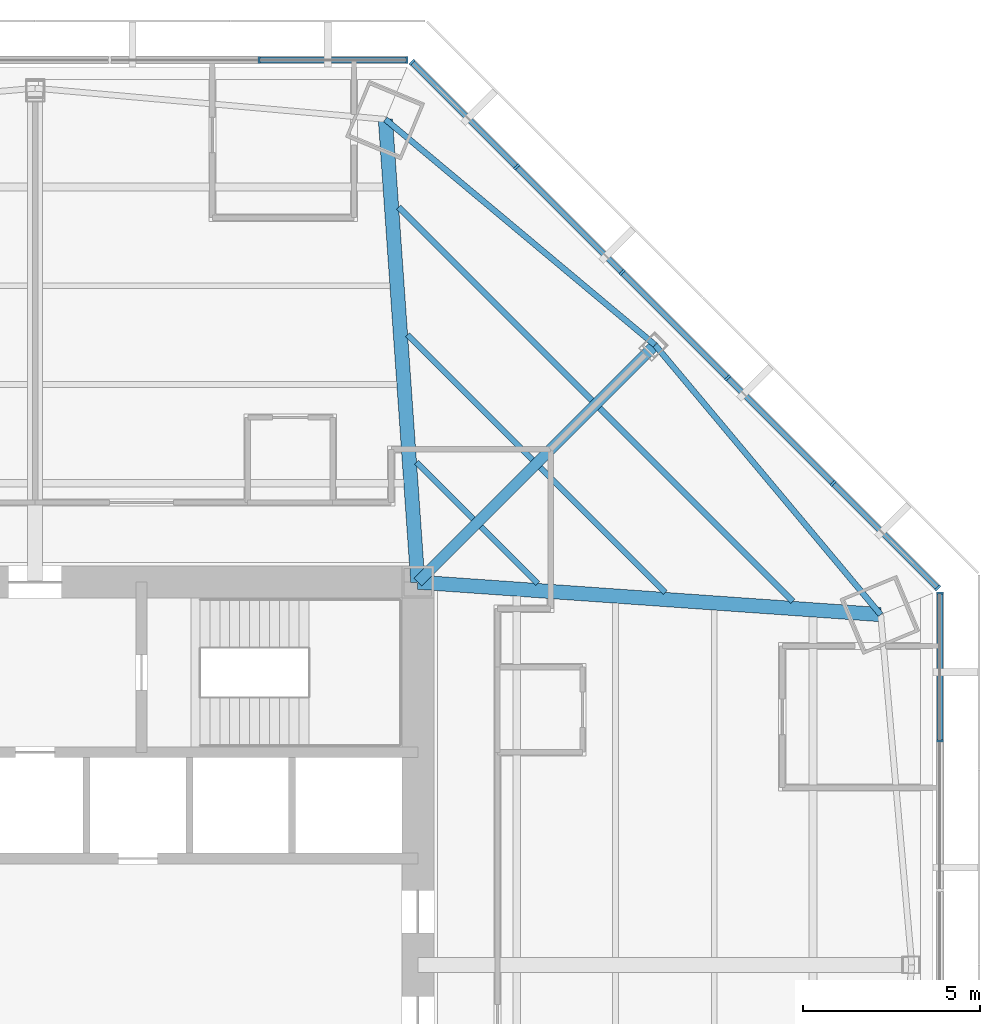
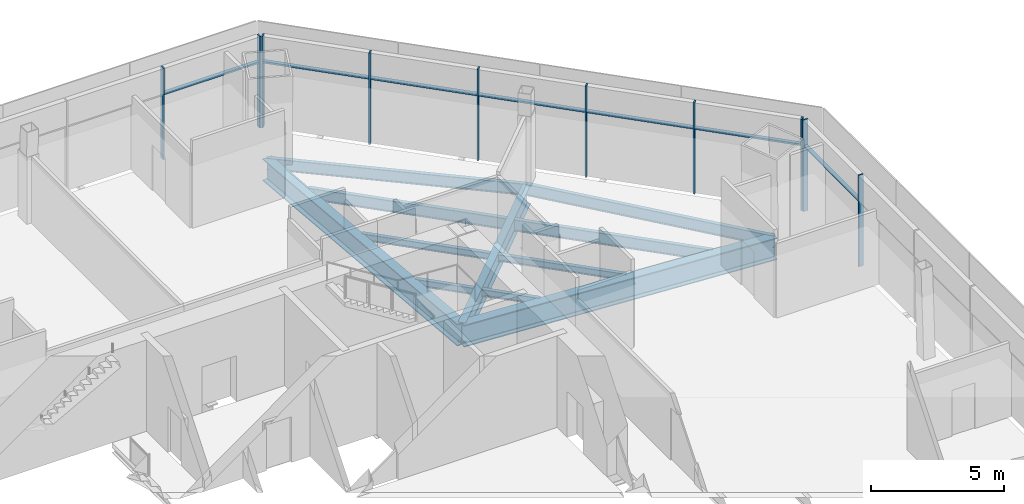
# One storey, part 7 of 17: 17 members, 11 beams, 3 elements without a shape of their own.
"""IFC4 building model written with IfcOpenShell, lengths in metres."""

from ifc_helpers import new_model, si_unit, direction, frame, origin, origin_2d, place, context, subcontext, project, spatial, rectangle, i_section, extrude, source, transform, mapped, material, material_profile, profile_set, type_object, type_shapes, element, aggregate, save


model = new_model("IFC4")

# Units and contexts
model_context = context("Model", 3, precision=1e-05, world=origin(), true_north=direction((0.0, 1.0)))
body_context = subcontext(model_context, "Body", "Model", "MODEL_VIEW")
ifc_project = project(units=[si_unit("LENGTHUNIT", "METRE"), si_unit("AREAUNIT", "SQUARE_METRE"), si_unit("VOLUMEUNIT", "CUBIC_METRE"), si_unit("PLANEANGLEUNIT", "RADIAN"), si_unit("MASSUNIT", "GRAM", prefix="KILO")], contexts=[model_context])

# Site, building, storey
site_placement = place(None, origin())
site = spatial("IfcSite", under=ifc_project, at=site_placement, CompositionType="ELEMENT")
building_placement = place(site_placement, origin())
building = spatial("IfcBuilding", under=site, at=building_placement, Name="Mashrafa Tower", CompositionType="ELEMENT")
storey_placement = place(building_placement, frame((0.0, 0.0, 87.60009765625)))
storey = spatial("IfcBuildingStorey", under=building, at=storey_placement, Name="L19", CompositionType="ELEMENT", Elevation=87.60009765625)

# Beams
ifc_material_1 = material(Name="Steel ASTM A992", Category="steel")
ifc_material_profile_1 = material_profile(ifc_material_1, i_section(OverallWidth=0.164794921875, OverallDepth=0.309814453125, WebThickness=0.005859375, FlangeThickness=0.009765625, FilletRadius=0.007568359375, at=origin_2d()), Name="W12X26")
ifc_profile_set_1 = profile_set([ifc_material_profile_1], Name="Steel ASTM A992")
beam_type_1 = type_object("IfcBeamType", Name="Beam W12X26", PredefinedType="BEAM", material=ifc_profile_set_1)
beam_1_placement = place(storey_placement, frame((10.51171875, 17.782958984375, -0.320068359375), z_axis=(0.707106781187, -0.707106781187, 0.0), x_axis=(0.707106781187, 0.707106781187, 0.0)))
element("IfcBeam", 1, at=beam_1_placement, inside=storey, type_object=beam_type_1, Name="Floor beam L19 036", PredefinedType="BEAM", context=body_context, shape_type="SweptSolid", body=[
    extrude(i_section(OverallWidth=0.164794921875, OverallDepth=0.309814453125, WebThickness=0.005859375, FlangeThickness=0.009765625, FilletRadius=0.007568359375, at=origin_2d()), origin(), (0.0, 0.0, 1.0), 4.989013671875),
])
for number, where, z_axis, x_axis, name in (
    (2, (10.763916015625, 14.183349609375, -0.320068359375), (0.707160662147, -0.707052896121, 0.0), (0.707052896121, 0.707160662147, 0.0), "Floor beam L19 038"),
    (3, (12.58154296875, 12.365966796875, -0.320068359375), (0.707052896121, -0.707160662147, 0.0), (0.707160662147, 0.707052896121, 0.0), "Floor beam L19 041"),
):
    element("IfcBeam", number, at=place(storey_placement, frame(where, z_axis=z_axis, x_axis=x_axis)), inside=storey, type_object=beam_type_1, Name=name, PredefinedType="BEAM", context=body_context, shape_type="SweptSolid", body=[
        extrude(i_section(OverallWidth=0.164794921875, OverallDepth=0.309814453125, WebThickness=0.005859375, FlangeThickness=0.009765625, FilletRadius=0.007568359375, at=origin_2d()), origin(), (0.0, 0.0, 1.0), 2.265380859375),
    ])
beam_2_placement = place(storey_placement, frame((14.255126953125, 14.03955078125, -0.320068359375), z_axis=(0.707106781187, -0.707106781187, 0.0), x_axis=(0.707106781187, 0.707106781187, 0.0)))
element("IfcBeam", 4, at=beam_2_placement, inside=storey, type_object=beam_type_1, Name="Floor beam L19 045", PredefinedType="BEAM", context=body_context, shape_type="SweptSolid", body=[
    extrude(i_section(OverallWidth=0.164794921875, OverallDepth=0.309814453125, WebThickness=0.005859375, FlangeThickness=0.009765625, FilletRadius=0.007568359375, at=origin_2d()), origin(), (0.0, 0.0, 1.0), 4.989013671875),
])
ifc_material_2 = material(Name="Steel ASTM A992", Category="steel")
ifc_material_profile_2 = material_profile(ifc_material_2, i_section(OverallWidth=0.165771484375, OverallDepth=0.5283203125, WebThickness=0.009765625, FlangeThickness=0.013671875, FilletRadius=0.012939453125, at=origin_2d()), Name="W21X50")
ifc_profile_set_2 = profile_set([ifc_material_profile_2], Name="Steel ASTM A992")
beam_type_2 = type_object("IfcBeamType", Name="Beam W21X50", PredefinedType="BEAM", material=ifc_profile_set_2)
for number, where, z_axis, x_axis, name in (
    (5, (10.259521484375, 21.3828125, -0.42919921875), (0.707075127012, -0.707138433944, 0.0), (0.707138433944, 0.707075127012, 0.0), "Floor beam L19 034"),
    (6, (15.9287109375, 15.713134765625, -0.42919921875), (0.707138433944, -0.707075127012, 0.0), (0.707075127012, 0.707138433944, 0.0), "Floor beam L19 048"),
):
    element("IfcBeam", number, at=place(storey_placement, frame(where, z_axis=z_axis, x_axis=x_axis)), inside=storey, type_object=beam_type_2, Name=name, PredefinedType="BEAM", context=body_context, shape_type="SweptSolid", body=[
        extrude(i_section(OverallWidth=0.165771484375, OverallDepth=0.5283203125, WebThickness=0.009765625, FlangeThickness=0.013671875, FilletRadius=0.012939453125, at=origin_2d()), origin(), (0.0, 0.0, 1.0), 7.712890625),
    ])
for number, where, z_axis, x_axis, name in (
    (7, (17.49462890625, 17.49462890625, -0.42919921875), (-0.766898747928, 0.641768112659, 0.0), (-0.641768112659, -0.766898747928, 0.0), "Spandrel beam L19 085"),
    (8, (23.863037109375, 9.884521484375, -0.42919921875), (-0.641768112659, 0.766898747928, 0.0), (-0.766898747928, -0.641768112659, 0.0), "Spandrel beam L19 087"),
):
    element("IfcBeam", number, at=place(storey_placement, frame(where, z_axis=z_axis, x_axis=x_axis)), inside=storey, type_object=beam_type_2, Name=name, PredefinedType="BEAM", context=body_context, shape_type="SweptSolid", body=[
        extrude(i_section(OverallWidth=0.165771484375, OverallDepth=0.5283203125, WebThickness=0.009765625, FlangeThickness=0.013671875, FilletRadius=0.012939453125, at=origin_2d()), origin(), (0.0, 0.0, 1.0), 9.92333984375),
    ])
ifc_material_3 = material(Name="Steel ASTM A992", Category="steel")
ifc_material_profile_3 = material_profile(ifc_material_3, i_section(OverallWidth=0.3046875, OverallDepth=0.911865234375, WebThickness=0.015869140625, FlangeThickness=0.02392578125, FilletRadius=0.01904296875, at=origin_2d()), Name="W36X150")
ifc_profile_set_3 = profile_set([ifc_material_profile_3], Name="Steel ASTM A992")
beam_type_3 = type_object("IfcBeamType", Name="Beam W36X150", PredefinedType="BEAM", material=ifc_profile_set_3)
beam_3_placement = place(storey_placement, frame((10.800048828125, 10.800048828125, -0.62109375), z_axis=(0.707106781187, 0.707106781187, 0.0), x_axis=(-0.707106781187, 0.707106781187, 0.0)))
element("IfcBeam", 9, at=beam_3_placement, inside=storey, type_object=beam_type_3, Name="Radial girder L19 071", PredefinedType="BEAM", context=body_context, shape_type="SweptSolid", body=[
    extrude(i_section(OverallWidth=0.3046875, OverallDepth=0.911865234375, WebThickness=0.015869140625, FlangeThickness=0.02392578125, FilletRadius=0.01904296875, at=origin_2d()), origin(), (0.0, 0.0, 1.0), 9.467529296875),
])
ifc_material_4 = material(Name="Steel ASTM A992", Category="steel")
ifc_material_profile_4 = material_profile(ifc_material_4, i_section(OverallWidth=0.4013671875, OverallDepth=1.010986328125, WebThickness=0.023681640625, FlangeThickness=0.0419921875, FilletRadius=0.02001953125, at=origin_2d()), Name="W40X297")
ifc_profile_set_4 = profile_set([ifc_material_profile_4], Name="Steel ASTM A992")
beam_type_4 = type_object("IfcBeamType", Name="Beam W40X297", PredefinedType="BEAM", material=ifc_profile_set_4)
for number, where, z_axis, x_axis, name in (
    (10, (10.800048828125, 10.800048828125, -0.670654296875), (-0.069914099504, 0.997553015479, 0.0), (-0.997553015479, -0.069914099504, 0.0), "Radial girder L19 070"),
    (11, (10.800048828125, 10.800048828125, -0.670654296875), (0.997553015479, -0.069914099504, 0.0), (0.069914099504, 0.997553015479, 0.0), "Radial girder L19 072"),
):
    element("IfcBeam", number, at=place(storey_placement, frame(where, z_axis=z_axis, x_axis=x_axis)), inside=storey, type_object=beam_type_4, Name=name, PredefinedType="BEAM", context=body_context, shape_type="SweptSolid", body=[
        extrude(i_section(OverallWidth=0.4013671875, OverallDepth=1.010986328125, WebThickness=0.023681640625, FlangeThickness=0.0419921875, FilletRadius=0.02001953125, at=origin_2d()), origin(), (0.0, 0.0, 1.0), 13.094970703125),
    ])

# Curtain wall, members
ifc_material_5 = material(Name="Unitised aluminium curtain wall", Category="aluminium")
curtain_wall_type = type_object("IfcCurtainWallType", Name="Office curtain wall, zone 1 CW-A 200 deep", PredefinedType="NOTDEFINED", material=ifc_material_5)
curtain_wall_1_placement = place(storey_placement, origin())
curtain_wall_1 = element("IfcCurtainWall", 12, at=curtain_wall_1_placement, inside=storey, type_object=curtain_wall_type, Name="Office curtain wall, zone 1 L19 east", PredefinedType="NOTDEFINED")
ifc_material_6 = material(Name="Extruded aluminium mullion", Category="aluminium")
ifc_material_profile_5 = material_profile(ifc_material_6, rectangle(XDim=0.199951171875, YDim=0.06494140625, at=origin_2d()), Name="Mullion 65x200")
ifc_profile_set_5 = profile_set([ifc_material_profile_5], Name="Extruded aluminium mullion")
member_type_1 = type_object("IfcMemberType", Name="Mullion CW-A 65 x 200", PredefinedType="MULLION", material=ifc_profile_set_5)
shared_shape_1 = source(origin(), body_context, "Body", "SweptSolid", [
    extrude(rectangle(XDim=0.199951171875, YDim=0.06494140625, at=origin_2d()), origin(), (0.0, 0.0, 1.0), 4.199951171875),
])
type_shapes(member_type_1, [shared_shape_1])
member_1_placement = place(storey_placement, frame((25.53662109375, 6.315673828125, 0.0), z_axis=(0.0, 0.0, 1.0), x_axis=(-1.0, 0.0, 0.0)))
member_1 = element("IfcMember", 13, at=member_1_placement, type_object=member_type_1, Name="CW-A mullion 5", PredefinedType="MULLION", context=body_context, shape_type="MappedRepresentation", body=[
    mapped(shared_shape_1, transform((0.0, 0.0, 0.0))),
])
member_2_placement = place(storey_placement, frame((25.53662109375, 10.49365234375, 0.0), z_axis=(0.0, 0.0, 1.0), x_axis=(-1.0, 0.0, 0.0)))
member_2 = element("IfcMember", 14, at=member_2_placement, type_object=member_type_1, Name="CW-A mullion 6", PredefinedType="MULLION", context=body_context, shape_type="MappedRepresentation", body=[
    mapped(shared_shape_1, transform((0.0, 0.0, 0.0))),
])

curtain_wall_2_placement = place(storey_placement, origin())
curtain_wall_2 = element("IfcCurtainWall", 15, at=curtain_wall_2_placement, inside=storey, type_object=curtain_wall_type, Name="Office curtain wall, zone 1 L19 north-east", PredefinedType="NOTDEFINED")
member_3_placement = place(storey_placement, frame((25.477294921875, 10.636962890625, 0.0), z_axis=(0.0, 0.0, 1.0), x_axis=(-0.707106781187, -0.707106781187, 0.0)))
member_3 = element("IfcMember", 16, at=member_3_placement, type_object=member_type_1, Name="CW-A mullion 1", PredefinedType="MULLION", context=body_context, shape_type="MappedRepresentation", body=[
    mapped(shared_shape_1, transform((0.0, 0.0, 0.0))),
])
member_4_placement = place(storey_placement, frame((22.52294921875, 13.59130859375, 0.0), z_axis=(0.0, 0.0, 1.0), x_axis=(-0.707106781187, -0.707106781187, 0.0)))
member_4 = element("IfcMember", 17, at=member_4_placement, type_object=member_type_1, Name="CW-A mullion 2", PredefinedType="MULLION", context=body_context, shape_type="MappedRepresentation", body=[
    mapped(shared_shape_1, transform((0.0, 0.0, 0.0))),
])
member_5_placement = place(storey_placement, frame((19.545654296875, 16.568603515625, 0.0), z_axis=(0.0, 0.0, 1.0), x_axis=(-0.707106781187, -0.707106781187, 0.0)))
member_5 = element("IfcMember", 18, at=member_5_placement, type_object=member_type_1, Name="CW-A mullion 3", PredefinedType="MULLION", context=body_context, shape_type="MappedRepresentation", body=[
    mapped(shared_shape_1, transform((0.0, 0.0, 0.0))),
])
member_6_placement = place(storey_placement, frame((16.568603515625, 19.545654296875, 0.0), z_axis=(0.0, 0.0, 1.0), x_axis=(-0.707106781187, -0.707106781187, 0.0)))
member_6 = element("IfcMember", 19, at=member_6_placement, type_object=member_type_1, Name="CW-A mullion 4", PredefinedType="MULLION", context=body_context, shape_type="MappedRepresentation", body=[
    mapped(shared_shape_1, transform((0.0, 0.0, 0.0))),
])
member_7_placement = place(storey_placement, frame((13.59130859375, 22.52294921875, 0.0), z_axis=(0.0, 0.0, 1.0), x_axis=(-0.707106781187, -0.707106781187, 0.0)))
member_7 = element("IfcMember", 20, at=member_7_placement, type_object=member_type_1, Name="CW-A mullion 5", PredefinedType="MULLION", context=body_context, shape_type="MappedRepresentation", body=[
    mapped(shared_shape_1, transform((0.0, 0.0, 0.0))),
])
member_8_placement = place(storey_placement, frame((10.636962890625, 25.477294921875, 0.0), z_axis=(0.0, 0.0, 1.0), x_axis=(-0.707106781187, -0.707106781187, 0.0)))
member_8 = element("IfcMember", 21, at=member_8_placement, type_object=member_type_1, Name="CW-A mullion 6", PredefinedType="MULLION", context=body_context, shape_type="MappedRepresentation", body=[
    mapped(shared_shape_1, transform((0.0, 0.0, 0.0))),
])

curtain_wall_3_placement = place(storey_placement, origin())
curtain_wall_3 = element("IfcCurtainWall", 22, at=curtain_wall_3_placement, inside=storey, type_object=curtain_wall_type, Name="Office curtain wall, zone 1 L19 north", PredefinedType="NOTDEFINED")
member_9_placement = place(storey_placement, frame((10.49365234375, 25.53662109375, 0.0), z_axis=(0.0, 0.0, 1.0), x_axis=(0.0, -1.0, 0.0)))
member_9 = element("IfcMember", 23, at=member_9_placement, type_object=member_type_1, Name="CW-A mullion 1", PredefinedType="MULLION", context=body_context, shape_type="MappedRepresentation", body=[
    mapped(shared_shape_1, transform((0.0, 0.0, 0.0))),
])
member_10_placement = place(storey_placement, frame((6.315673828125, 25.53662109375, 0.0), z_axis=(0.0, 0.0, 1.0), x_axis=(0.0, -1.0, 0.0)))
member_10 = element("IfcMember", 24, at=member_10_placement, type_object=member_type_1, Name="CW-A mullion 2", PredefinedType="MULLION", context=body_context, shape_type="MappedRepresentation", body=[
    mapped(shared_shape_1, transform((0.0, 0.0, 0.0))),
])

# Member
ifc_material_7 = material(Name="Extruded aluminium transom", Category="aluminium")
ifc_material_profile_6 = material_profile(ifc_material_7, rectangle(XDim=0.159912109375, YDim=0.080078125, at=origin_2d()), Name="Transom 80x160")
ifc_profile_set_6 = profile_set([ifc_material_profile_6], Name="Extruded aluminium transom")
member_type_2 = type_object("IfcMemberType", Name="Transom CW-A 80 x 160", PredefinedType="MULLION", material=ifc_profile_set_6)
shared_shape_2 = source(origin(), body_context, "Body", "SweptSolid", [
    extrude(rectangle(XDim=0.159912109375, YDim=0.080078125, at=origin_2d()), origin(), (0.0, 0.0, 1.0), 4.113037109375),
])
member_11_placement = place(storey_placement, frame((25.53662109375, 6.34814453125, 3.0), z_axis=(0.0, 1.0, 0.0), x_axis=(-1.0, 0.0, 0.0)))
member_11 = element("IfcMember", 25, at=member_11_placement, type_object=member_type_2, Name="CW-A transom 5", PredefinedType="MULLION", context=body_context, shape_type="MappedRepresentation", body=[
    mapped(shared_shape_2, transform((0.0, 0.0, 0.0))),
])

aggregate(curtain_wall_1, [member_1, member_2, member_11])

member_12_placement = place(storey_placement, frame((10.461181640625, 25.53662109375, 3.0), z_axis=(-1.0, 0.0, 0.0), x_axis=(0.0, -1.0, 0.0)))
member_12 = element("IfcMember", 26, at=member_12_placement, type_object=member_type_2, Name="CW-A transom 1", PredefinedType="MULLION", context=body_context, shape_type="MappedRepresentation", body=[
    mapped(shared_shape_2, transform((0.0, 0.0, 0.0))),
])

aggregate(curtain_wall_3, [member_9, member_10, member_12])

shared_shape_3 = source(origin(), body_context, "Body", "SweptSolid", [
    extrude(rectangle(XDim=0.159912109375, YDim=0.080078125, at=origin_2d()), origin(), (0.0, 0.0, 1.0), 4.11328125),
])
member_13_placement = place(storey_placement, frame((25.454345703125, 10.659912109375, 3.0), z_axis=(-0.707106781187, 0.707106781187, 0.0), x_axis=(-0.707106781187, -0.707106781187, 0.0)))
member_13 = element("IfcMember", 27, at=member_13_placement, type_object=member_type_2, Name="CW-A transom 1", PredefinedType="MULLION", context=body_context, shape_type="MappedRepresentation", body=[
    mapped(shared_shape_3, transform((0.0, 0.0, 0.0))),
])

member_14_placement = place(storey_placement, frame((13.568359375, 22.5458984375, 3.0), z_axis=(-0.707106781187, 0.707106781187, 0.0), x_axis=(-0.707106781187, -0.707106781187, 0.0)))
member_14 = element("IfcMember", 28, at=member_14_placement, type_object=member_type_2, Name="CW-A transom 5", PredefinedType="MULLION", context=body_context, shape_type="MappedRepresentation", body=[
    mapped(shared_shape_3, transform((0.0, 0.0, 0.0))),
])

shared_shape_4 = source(origin(), body_context, "Body", "SweptSolid", [
    extrude(rectangle(XDim=0.159912109375, YDim=0.080078125, at=origin_2d()), origin(), (0.0, 0.0, 1.0), 4.145263671875),
])
type_shapes(member_type_2, [shared_shape_2, shared_shape_3, shared_shape_4])
member_15_placement = place(storey_placement, frame((22.5, 13.6142578125, 3.0), z_axis=(-0.707106781187, 0.707106781187, 0.0), x_axis=(-0.707106781187, -0.707106781187, 0.0)))
member_15 = element("IfcMember", 29, at=member_15_placement, type_object=member_type_2, Name="CW-A transom 2", PredefinedType="MULLION", context=body_context, shape_type="MappedRepresentation", body=[
    mapped(shared_shape_4, transform((0.0, 0.0, 0.0))),
])

member_16_placement = place(storey_placement, frame((19.522705078125, 16.591552734375, 3.0), z_axis=(-0.707106781187, 0.707106781187, 0.0), x_axis=(-0.707106781187, -0.707106781187, 0.0)))
member_16 = element("IfcMember", 30, at=member_16_placement, type_object=member_type_2, Name="CW-A transom 3", PredefinedType="MULLION", context=body_context, shape_type="MappedRepresentation", body=[
    mapped(shared_shape_4, transform((0.0, 0.0, 0.0))),
])

member_17_placement = place(storey_placement, frame((16.54541015625, 19.56884765625, 3.0), z_axis=(-0.707106781187, 0.707106781187, 0.0), x_axis=(-0.707106781187, -0.707106781187, 0.0)))
member_17 = element("IfcMember", 31, at=member_17_placement, type_object=member_type_2, Name="CW-A transom 4", PredefinedType="MULLION", context=body_context, shape_type="MappedRepresentation", body=[
    mapped(shared_shape_4, transform((0.0, 0.0, 0.0))),
])

aggregate(curtain_wall_2, [member_3, member_4, member_5, member_6, member_7, member_8, member_13, member_15, member_16, member_17, member_14])

save(model, "model.ifc")
